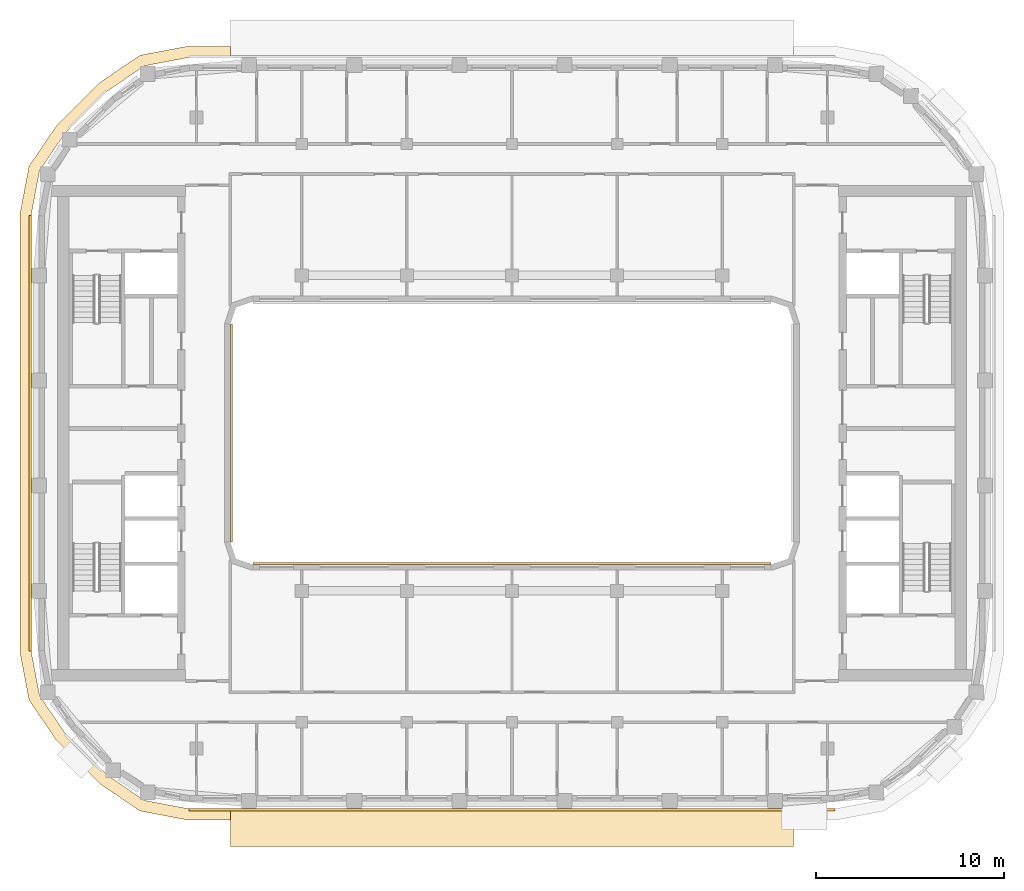
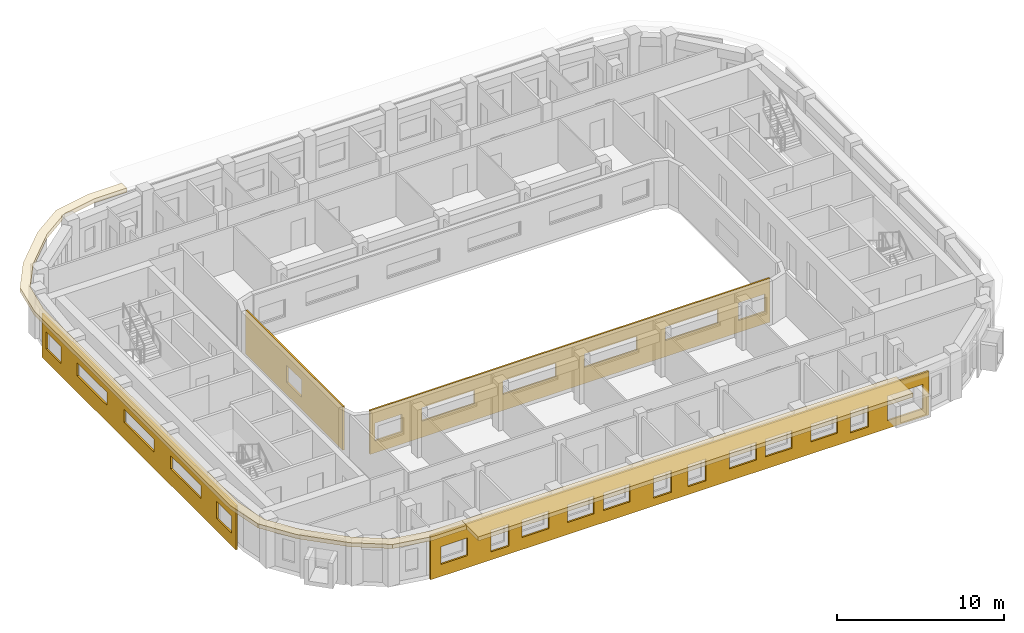
# One storey, part 10 of 15: 6 coverings.
"""IFC4 building model written with IfcOpenShell, lengths in metres."""

from ifc_helpers import new_model, si_unit, direction, frame, origin, place, context, subcontext, project, spatial, polyline, outline, extrude, material, layer, layer_set, type_object, element, save


model = new_model("IFC4")

# Units and contexts
model_context = context("Model", 3, precision=1e-05, world=origin(), true_north=direction((0.0, 1.0)))
body_context = subcontext(model_context, "Body", "Model", "MODEL_VIEW")
ifc_project = project(units=[si_unit("LENGTHUNIT", "METRE"), si_unit("AREAUNIT", "SQUARE_METRE"), si_unit("VOLUMEUNIT", "CUBIC_METRE"), si_unit("PLANEANGLEUNIT", "RADIAN"), si_unit("MASSUNIT", "GRAM", prefix="KILO")], contexts=[model_context])

# Site, building, storey
site_placement = place(None, origin())
site = spatial("IfcSite", under=ifc_project, at=site_placement, CompositionType="ELEMENT")
building_placement = place(site_placement, origin())
building = spatial("IfcBuilding", under=site, at=building_placement, Name="Kiln Ring Residences", CompositionType="ELEMENT")
storey_placement = place(building_placement, frame((0.0, 0.0, 248.699951171875)))
storey = spatial("IfcBuildingStorey", under=building, at=storey_placement, Name="L64", CompositionType="ELEMENT", Elevation=248.699951171875)

# Coverings
ifc_material_1 = material(Name="Brick masonry, dark clay brick", Category="masonry")
ifc_layer_1 = layer(ifc_material_1, 0.1201171875)
ifc_layer_set_1 = layer_set([ifc_layer_1], Name="RAINSCREEN PANEL 120")
covering_type_1 = type_object("IfcCoveringType", Name="RAINSCREEN PANEL 120", PredefinedType="CLADDING", material=ifc_layer_set_1)
covering_1_placement = place(storey_placement, frame((-17.199951171875, -20.06005859375, 0.0), z_axis=(0.0, 0.0, 1.0), x_axis=(1.0, 0.0, 0.0)))
element("IfcCovering", 1, at=covering_1_placement, inside=storey, type_object=covering_type_1, Name="RAINSCREEN L64", PredefinedType="CLADDING", context=body_context, shape_type="SweptSolid", body=[
    extrude(outline(polyline([(0.0, 0.0), (34.39990234375, 0.0), (34.39990234375, 3.199951171875), (0.0, 3.199951171875), (0.0, 0.0)]), holes=[polyline([(4.179931640625, 0.580078125), (5.419921875, 0.580078125), (5.419921875, 2.170166015625), (4.179931640625, 2.170166015625), (4.179931640625, 0.580078125)]), polyline([(15.3798828125, 2.170166015625), (15.3798828125, 0.580078125), (16.6201171875, 0.580078125), (16.6201171875, 2.170166015625), (15.3798828125, 2.170166015625)]), polyline([(0.717529296875, 2.170166015625), (0.717529296875, 0.880126953125), (2.5576171875, 0.880126953125), (2.5576171875, 2.170166015625), (0.717529296875, 2.170166015625)]), polyline([(6.3173828125, 0.880126953125), (8.157470703125, 0.880126953125), (8.157470703125, 2.170166015625), (6.3173828125, 2.170166015625), (6.3173828125, 0.880126953125)]), polyline([(9.4423828125, 2.170166015625), (9.4423828125, 0.880126953125), (11.282470703125, 0.880126953125), (11.282470703125, 2.170166015625), (9.4423828125, 2.170166015625)]), polyline([(11.91748046875, 2.170166015625), (11.91748046875, 0.880126953125), (13.757568359375, 0.880126953125), (13.757568359375, 2.170166015625), (11.91748046875, 2.170166015625)]), polyline([(17.780029296875, 0.580078125), (19.02001953125, 0.580078125), (19.02001953125, 2.170166015625), (17.780029296875, 2.170166015625), (17.780029296875, 0.580078125)]), polyline([(28.97998046875, 2.170166015625), (28.97998046875, 0.580078125), (30.219970703125, 0.580078125), (30.219970703125, 2.170166015625), (28.97998046875, 2.170166015625)]), polyline([(31.54248046875, 2.3701171875), (31.54248046875, 0.580078125), (33.982421875, 0.580078125), (33.982421875, 2.3701171875), (31.54248046875, 2.3701171875)]), polyline([(20.642578125, 0.880126953125), (22.482421875, 0.880126953125), (22.482421875, 2.170166015625), (20.642578125, 2.170166015625), (20.642578125, 0.880126953125)]), polyline([(23.117431640625, 2.170166015625), (23.117431640625, 0.880126953125), (24.95751953125, 0.880126953125), (24.95751953125, 2.170166015625), (23.117431640625, 2.170166015625)]), polyline([(26.242431640625, 2.170166015625), (26.242431640625, 0.880126953125), (28.08251953125, 0.880126953125), (28.08251953125, 2.170166015625), (26.242431640625, 2.170166015625)])]), frame((0.0, 0.06005859375, 0.0), z_axis=(0.0, -1.0, 0.0), x_axis=(1.0, 0.0, 0.0)), (0.0, 0.0, 1.0), 0.1201171875),
])
covering_2_placement = place(storey_placement, frame((-25.659912109375, 11.60009765625, 0.0), z_axis=(0.0, 0.0, 1.0), x_axis=(0.0, -1.0, 0.0)))
element("IfcCovering", 2, at=covering_2_placement, inside=storey, type_object=covering_type_1, Name="RAINSCREEN L64", PredefinedType="CLADDING", context=body_context, shape_type="SweptSolid", body=[
    extrude(outline(polyline([(0.0, 0.0), (23.199951171875, 0.0), (23.199951171875, 3.199951171875), (0.0, 3.199951171875), (0.0, 0.0)]), holes=[polyline([(2.300048828125, 0.900146484375), (2.300048828125, 2.150146484375), (0.5, 2.150146484375), (0.5, 0.900146484375), (2.300048828125, 0.900146484375)]), polyline([(22.699951171875, 0.900146484375), (22.699951171875, 2.150146484375), (20.89990234375, 2.150146484375), (20.89990234375, 0.900146484375), (22.699951171875, 0.900146484375)]), polyline([(7.800048828125, 1.199951171875), (7.800048828125, 2.150146484375), (4.199951171875, 2.150146484375), (4.199951171875, 1.199951171875), (7.800048828125, 1.199951171875)]), polyline([(9.800048828125, 1.199951171875), (13.39990234375, 1.199951171875), (13.39990234375, 2.150146484375), (9.800048828125, 2.150146484375), (9.800048828125, 1.199951171875)]), polyline([(15.39990234375, 1.199951171875), (19.0, 1.199951171875), (19.0, 2.150146484375), (15.39990234375, 2.150146484375), (15.39990234375, 1.199951171875)])]), frame((0.0, 0.06005859375, 0.0), z_axis=(0.0, -1.0, 0.0), x_axis=(1.0, 0.0, 0.0)), (0.0, 0.0, 1.0), 0.1201171875),
])
covering_3_placement = place(storey_placement, frame((-14.93994140625, -5.800048828125, 0.0), z_axis=(0.0, 0.0, 1.0), x_axis=(0.0, 1.0, 0.0)))
element("IfcCovering", 3, at=covering_3_placement, inside=storey, type_object=covering_type_1, Name="RAINSCREEN L64", PredefinedType="CLADDING", context=body_context, shape_type="SweptSolid", body=[
    extrude(outline(polyline([(0.0, 0.0), (11.60009765625, 0.0), (11.60009765625, 3.199951171875), (0.0, 3.199951171875), (0.0, 0.0)]), holes=[polyline([(4.89990234375, 2.150146484375), (4.89990234375, 0.900146484375), (6.699951171875, 0.900146484375), (6.699951171875, 2.150146484375), (4.89990234375, 2.150146484375)])]), frame((0.0, 0.06005859375, 0.0), z_axis=(0.0, -1.0, 0.0), x_axis=(1.0, 0.0, 0.0)), (0.0, 0.0, 1.0), 0.1201171875),
])
covering_4_placement = place(storey_placement, frame((13.800048828125, -6.93994140625, 0.0), z_axis=(0.0, 0.0, 1.0), x_axis=(-1.0, 0.0, 0.0)))
element("IfcCovering", 4, at=covering_4_placement, inside=storey, type_object=covering_type_1, Name="RAINSCREEN L64", PredefinedType="CLADDING", context=body_context, shape_type="SweptSolid", body=[
    extrude(outline(polyline([(0.0, 0.0), (27.60009765625, 0.0), (27.60009765625, 3.199951171875), (0.0, 3.199951171875), (0.0, 0.0)]), holes=[polyline([(2.1826171875, 0.880126953125), (2.1826171875, 2.170166015625), (0.342529296875, 2.170166015625), (0.342529296875, 0.880126953125), (2.1826171875, 0.880126953125)]), polyline([(25.41748046875, 0.880126953125), (27.257568359375, 0.880126953125), (27.257568359375, 2.170166015625), (25.41748046875, 2.170166015625), (25.41748046875, 0.880126953125)]), polyline([(3.580078125, 1.179931640625), (7.219970703125, 1.179931640625), (7.219970703125, 2.170166015625), (3.580078125, 2.170166015625), (3.580078125, 1.179931640625)]), polyline([(12.820068359375, 1.179931640625), (12.820068359375, 2.170166015625), (9.179931640625, 2.170166015625), (9.179931640625, 1.179931640625), (12.820068359375, 1.179931640625)]), polyline([(14.780029296875, 1.179931640625), (18.419921875, 1.179931640625), (18.419921875, 2.170166015625), (14.780029296875, 2.170166015625), (14.780029296875, 1.179931640625)]), polyline([(20.3798828125, 1.179931640625), (24.02001953125, 1.179931640625), (24.02001953125, 2.170166015625), (20.3798828125, 2.170166015625), (20.3798828125, 1.179931640625)])]), frame((0.0, 0.06005859375, 0.0), z_axis=(0.0, -1.0, 0.0), x_axis=(1.0, 0.0, 0.0)), (0.0, 0.0, 1.0), 0.1201171875),
])
ifc_material_2 = material(Name="Black powder-coated steel", Category="steel")
ifc_layer_2 = layer(ifc_material_2, 0.300048828125)
ifc_layer_set_2 = layer_set([ifc_layer_2], Name="SUNSHADE BAND 2000")
covering_type_2 = type_object("IfcCoveringType", Name="SUNSHADE BAND 2000", PredefinedType="CLADDING", material=ifc_layer_set_2)
placement = place(storey_placement, frame((0.0, 0.0, 3.199951171875)))
element("IfcCovering", 5, at=placement, inside=storey, type_object=covering_type_2, Name="SUNSHADE BAND L64", PredefinedType="CLADDING", context=body_context, shape_type="SweptSolid", body=[
    extrude(outline(polyline([(-15.0, -22.0), (15.0, -22.0), (15.0, -20.0), (-15.0, -20.0), (-15.0, -22.0)])), origin(), (0.0, 0.0, 1.0), 0.300048828125),
])
ifc_material_3 = material(Name="Black powder-coated steel", Category="steel")
ifc_layer_3 = layer(ifc_material_3, 0.300048828125)
ifc_layer_set_3 = layer_set([ifc_layer_3], Name="SUNSHADE FIN 600")
covering_type_3 = type_object("IfcCoveringType", Name="SUNSHADE FIN 600", PredefinedType="CLADDING", material=ifc_layer_set_3)
element("IfcCovering", 6, at=placement, inside=storey, type_object=covering_type_3, Name="SUNSHADE FIN L64", PredefinedType="CLADDING", context=body_context, shape_type="SweptSolid", body=[
    extrude(outline(polyline([(-26.199951171875, -11.694580078125), (-25.71923828125, -14.215087890625), (-24.27685546875, -16.33740234375), (-21.937255859375, -18.677001953125), (-19.815185546875, -20.119140625), (-17.29443359375, -20.60009765625), (-15.0, -20.60009765625), (-15.0, -20.0), (-17.23779296875, -20.0), (-19.58056640625, -19.552978515625), (-21.55322265625, -18.21240234375), (-23.8125, -15.953125), (-25.153076171875, -13.980712890625), (-25.60009765625, -11.6376953125), (-25.60009765625, 11.6376953125), (-25.153076171875, 13.980712890625), (-23.8125, 15.953125), (-21.55322265625, 18.21240234375), (-19.58056640625, 19.552978515625), (-17.23779296875, 20.0), (-15.0, 20.0), (-15.0, 20.60009765625), (-17.29443359375, 20.60009765625), (-19.815185546875, 20.119140625), (-21.937255859375, 18.677001953125), (-24.27685546875, 16.33740234375), (-25.71923828125, 14.215087890625), (-26.199951171875, 11.694580078125), (-26.199951171875, -11.694580078125)])), origin(), (0.0, 0.0, 1.0), 0.300048828125),
])

save(model, "model.ifc")
